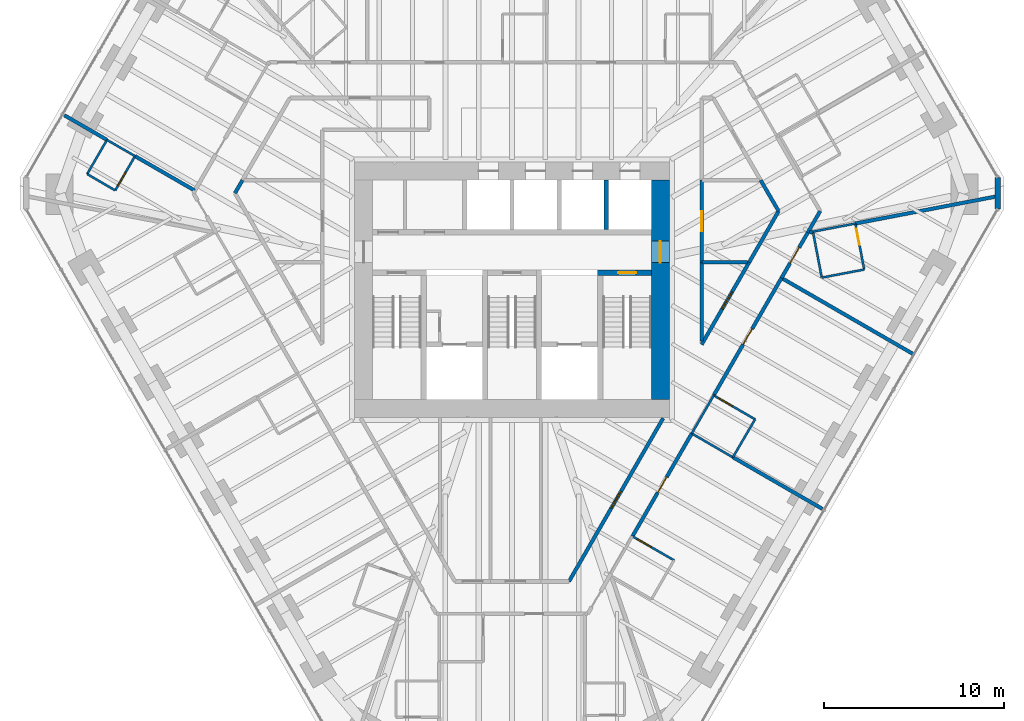
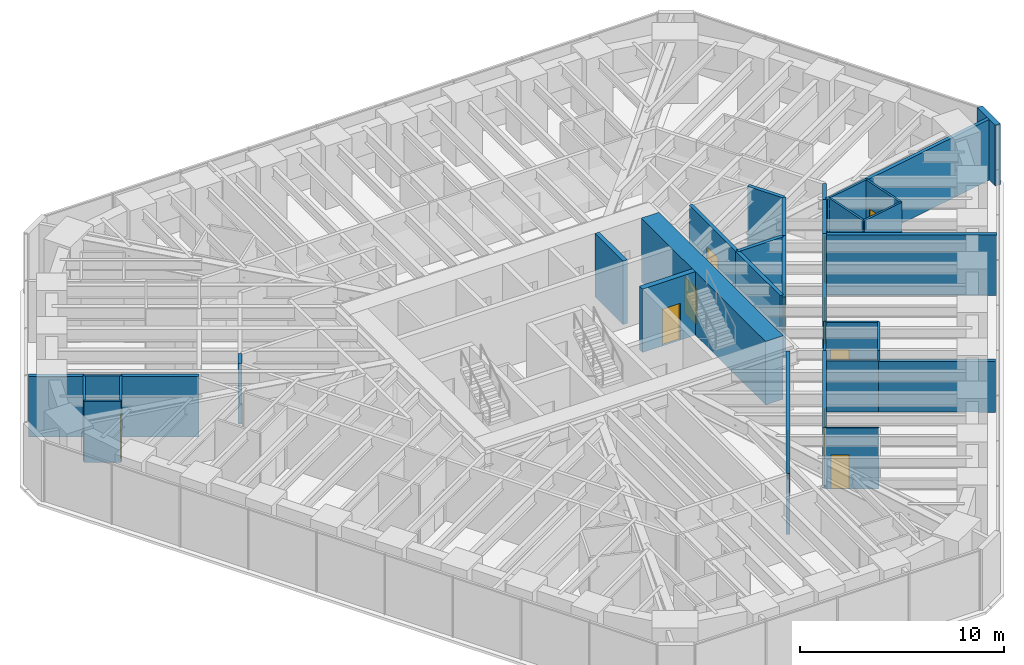
# One storey, part 13 of 16: 35 walls, 12 doors, 12 openings.
"""IFC4 building model written with IfcOpenShell, lengths in metres."""

from ifc_helpers import new_model, si_unit, direction, frame, frame_2d, origin, place, context, subcontext, project, spatial, rectangle, extrude, material, layer, layer_set, type_object, element, fill, save


model = new_model("IFC4")

# Units and contexts
model_context = context("Model", 3, precision=1e-05, world=origin(), true_north=direction((0.0, 1.0)))
body_context = subcontext(model_context, "Body", "Model", "MODEL_VIEW")
ifc_project = project(units=[si_unit("LENGTHUNIT", "METRE"), si_unit("AREAUNIT", "SQUARE_METRE"), si_unit("VOLUMEUNIT", "CUBIC_METRE"), si_unit("PLANEANGLEUNIT", "RADIAN"), si_unit("MASSUNIT", "GRAM", prefix="KILO")], contexts=[model_context])

# Site, building, storey
site_placement = place(None, origin())
site = spatial("IfcSite", under=ifc_project, at=site_placement, CompositionType="ELEMENT")
building_placement = place(site_placement, origin())
building = spatial("IfcBuilding", under=site, at=building_placement, Name="Sandreach Pilgrim Tower", CompositionType="ELEMENT")
storey_placement = place(building_placement, frame((0.0, 0.0, 206.0)))
storey = spatial("IfcBuildingStorey", under=building, at=storey_placement, Name="L51", CompositionType="ELEMENT", Elevation=206.0)

# Walls
ifc_material_1 = material(Name="Moisture-resistant gypsum board on steel studs", Category="steel")
ifc_layer_1 = layer(ifc_material_1, 0.1201171875)
ifc_layer_set_1 = layer_set([ifc_layer_1], Name="Bathroom partition 120")
wall_type_1 = type_object("IfcWallType", Name="Bathroom partition 120", PredefinedType="PARTITIONING", material=ifc_layer_set_1)
wall_1_placement = place(storey_placement, frame((-23.6298828125, 6.429931640625, 0.0), z_axis=(0.0, 0.0, 1.0), x_axis=(0.863773997337, -0.503879431535, 0.0)))
element("IfcWall", 1, at=wall_1_placement, inside=storey, type_object=wall_type_1, Name="Bathroom partition L51-003", PredefinedType="PARTITIONING", context=body_context, shape_type="SweptSolid", body=[
    extrude(rectangle(XDim=1.805908203125, YDim=0.1201171875, at=frame_2d((0.90283203125, 0.0))), origin(), (0.0, 0.0, 1.0), 3.639892578125),
])
wall_2_placement = place(storey_placement, frame((-22.530029296875, 8.330078125, 0.0), z_axis=(0.0, 0.0, 1.0), x_axis=(-0.500957366999, -0.865471961677, 0.0)))
element("IfcWall", 2, at=wall_2_placement, inside=storey, type_object=wall_type_1, Name="Bathroom partition L51-004", PredefinedType="PARTITIONING", context=body_context, shape_type="SweptSolid", body=[
    extrude(rectangle(XDim=2.195556640625, YDim=0.1201171875, at=frame_2d((1.09765625, 0.0))), origin(), (0.0, 0.0, 1.0), 3.639892578125),
])
wall_3_placement = place(storey_placement, frame((-22.530029296875, 8.330078125, 0.0), z_axis=(0.0, 0.0, 1.0), x_axis=(0.866158505053, -0.499769390944, 0.0)))
element("IfcWall", 3, at=wall_3_placement, inside=storey, type_object=wall_type_1, Name="Bathroom partition L51-005", PredefinedType="PARTITIONING", context=body_context, shape_type="SweptSolid", body=[
    extrude(rectangle(XDim=1.801025390625, YDim=0.1201171875, at=frame_2d((0.900390625, 0.0))), origin(), (0.0, 0.0, 1.0), 3.639892578125),
])

# Wall, opening, door
wall_4_placement = place(storey_placement, frame((-22.070068359375, 5.52001953125, 0.0), z_axis=(0.0, 0.0, 1.0), x_axis=(0.499118212815, 0.866533905648, 0.0)))
wall_4 = element("IfcWall", 4, at=wall_4_placement, inside=storey, type_object=wall_type_1, Name="Bathroom partition L51-006", PredefinedType="PARTITIONING", context=body_context, shape_type="SweptSolid", body=[
    extrude(rectangle(XDim=2.2041015625, YDim=0.1201171875, at=frame_2d((1.10205078125, 0.0))), origin(), (0.0, 0.0, 1.0), 3.639892578125),
])
opening_1_placement = place(wall_4_placement, frame((0.300048828125, 0.0, 0.0)))
opening_1 = element("IfcOpeningElement", 5, at=opening_1_placement, cuts=wall_4, Name="Opening D09-15B", PredefinedType="OPENING", context=body_context, shape_type="SweptSolid", body=[
    extrude(rectangle(XDim=0.89990234375, YDim=2.030029296875, at=frame_2d((0.449951171875, 1.01513671875))), frame((0.0, 0.06005859375, 0.0), z_axis=(0.0, -1.0, 0.0), x_axis=(1.0, 0.0, 0.0)), (0.0, 0.0, 1.0), 0.1201171875),
])
ifc_material_2 = material(Name="Timber door, steel frame", Category="steel")
door_type_1 = type_object("IfcDoorType", Name="Bathroom door", OperationType="SINGLE_SWING_LEFT", PredefinedType="DOOR", material=ifc_material_2)
door_1_placement = place(opening_1_placement, origin())
door_1 = element("IfcDoor", 6, at=door_1_placement, inside=storey, type_object=door_type_1, Name="Door 5115B", OperationType="SINGLE_SWING_LEFT", OverallHeight=2.030029296875, OverallWidth=0.89990234375, PredefinedType="DOOR", context=body_context, shape_type="SweptSolid", body=[
    extrude(rectangle(XDim=0.89990234375, YDim=2.030029296875, at=frame_2d((0.449951171875, 1.01513671875))), frame((0.0, 0.02490234375, 0.0), z_axis=(0.0, -1.0, 0.0), x_axis=(1.0, 0.0, 0.0)), (0.0, 0.0, 1.0), 0.050048828125),
])
fill(opening_1, door_1)

wall_5_placement = place(storey_placement, frame((9.010009765625, -15.050048828125, 0.0), z_axis=(0.0, 0.0, 1.0), x_axis=(-0.866615255992, 0.498976951453, 0.0)))
wall_5 = element("IfcWall", 7, at=wall_5_placement, inside=storey, type_object=wall_type_1, Name="Bathroom partition L51-105", PredefinedType="PARTITIONING", context=body_context, shape_type="SweptSolid", body=[
    extrude(rectangle(XDim=2.66552734375, YDim=0.1201171875, at=frame_2d((1.332763671875, 0.0))), origin(), (0.0, 0.0, 1.0), 3.639892578125),
])
opening_2_placement = place(wall_5_placement, frame((1.465576171875, 0.0, 0.0)))
opening_2 = element("IfcOpeningElement", 8, at=opening_2_placement, cuts=wall_5, Name="Opening D09-08B", PredefinedType="OPENING", context=body_context, shape_type="SweptSolid", body=[
    extrude(rectangle(XDim=0.89990234375, YDim=2.030029296875, at=frame_2d((0.449951171875, 1.01513671875))), frame((0.0, 0.06005859375, 0.0), z_axis=(0.0, -1.0, 0.0), x_axis=(1.0, 0.0, 0.0)), (0.0, 0.0, 1.0), 0.1201171875),
])
door_2_placement = place(opening_2_placement, origin())
door_2 = element("IfcDoor", 9, at=door_2_placement, inside=storey, type_object=door_type_1, Name="Door 5108B", OperationType="SINGLE_SWING_RIGHT", OverallHeight=2.030029296875, OverallWidth=0.89990234375, PredefinedType="DOOR", context=body_context, shape_type="SweptSolid", body=[
    extrude(rectangle(XDim=0.89990234375, YDim=2.030029296875, at=frame_2d((0.449951171875, 1.01513671875))), frame((0.0, 0.02490234375, 0.0), z_axis=(0.0, -1.0, 0.0), x_axis=(1.0, 0.0, 0.0)), (0.0, 0.0, 1.0), 0.050048828125),
])
fill(opening_2, door_2)

# Walls
wall_6_placement = place(storey_placement, frame((9.9990234375, -7.99951171875, 0.0), z_axis=(0.0, 0.0, 1.0), x_axis=(0.49917796633, 0.866499485245, 0.0)))
element("IfcWall", 10, at=wall_6_placement, inside=storey, type_object=wall_type_1, Name="Bathroom partition L51-106", PredefinedType="PARTITIONING", context=body_context, shape_type="SweptSolid", body=[
    extrude(rectangle(XDim=2.44580078125, YDim=0.1201171875, at=frame_2d((1.222900390625, 0.0))), origin(), (0.0, 0.0, 1.0), 3.639892578125),
])
wall_7_placement = place(storey_placement, frame((12.2900390625, -9.330078125, 0.0), z_axis=(0.0, 0.0, 1.0), x_axis=(-0.864726954997, 0.502242265546, 0.0)))
element("IfcWall", 11, at=wall_7_placement, inside=storey, type_object=wall_type_1, Name="Bathroom partition L51-118", PredefinedType="PARTITIONING", context=body_context, shape_type="SweptSolid", body=[
    extrude(rectangle(XDim=2.648193359375, YDim=0.1201171875, at=frame_2d((1.32421875, 0.0))), origin(), (0.0, 0.0, 1.0), 3.0380859375),
])
wall_8_placement = place(storey_placement, frame((12.2900390625, -9.320068359375, 0.0), z_axis=(0.0, 0.0, 1.0), x_axis=(0.503591322258, 0.863942000453, 0.0)))
element("IfcWall", 12, at=wall_8_placement, inside=storey, type_object=wall_type_1, Name="Bathroom partition L51-119", PredefinedType="PARTITIONING", context=body_context, shape_type="SweptSolid", body=[
    extrude(rectangle(XDim=2.4423828125, YDim=0.1201171875, at=frame_2d((1.22119140625, 0.0))), origin(), (0.0, 0.0, 1.0), 3.639892578125),
])

# Wall, opening, door
wall_9_placement = place(storey_placement, frame((13.52001953125, -7.2099609375, 0.0), z_axis=(0.0, 0.0, 1.0), x_axis=(-0.865675724273, 0.500605174168, 0.0)))
wall_9 = element("IfcWall", 13, at=wall_9_placement, inside=storey, type_object=wall_type_1, Name="Bathroom partition L51-124", PredefinedType="PARTITIONING", context=body_context, shape_type="SweptSolid", body=[
    extrude(rectangle(XDim=2.656982421875, YDim=0.1201171875, at=frame_2d((1.32861328125, 0.0))), origin(), (0.0, 0.0, 1.0), 3.639892578125),
])
opening_3_placement = place(wall_9_placement, frame((1.456787109375, 0.0, 0.0)))
opening_3 = element("IfcOpeningElement", 14, at=opening_3_placement, cuts=wall_9, Name="Opening D09-07B", PredefinedType="OPENING", context=body_context, shape_type="SweptSolid", body=[
    extrude(rectangle(XDim=0.89990234375, YDim=2.030029296875, at=frame_2d((0.449951171875, 1.01513671875))), frame((0.0, 0.06005859375, 0.0), z_axis=(0.0, -1.0, 0.0), x_axis=(1.0, 0.0, 0.0)), (0.0, 0.0, 1.0), 0.1201171875),
])
door_3_placement = place(opening_3_placement, origin())
door_3 = element("IfcDoor", 15, at=door_3_placement, inside=storey, type_object=door_type_1, Name="Door 5107B", OperationType="SINGLE_SWING_RIGHT", OverallHeight=2.030029296875, OverallWidth=0.89990234375, PredefinedType="DOOR", context=body_context, shape_type="SweptSolid", body=[
    extrude(rectangle(XDim=0.89990234375, YDim=2.030029296875, at=frame_2d((0.449951171875, 1.01513671875))), frame((0.0, 0.02490234375, 0.0), z_axis=(0.0, -1.0, 0.0), x_axis=(1.0, 0.0, 0.0)), (0.0, 0.0, 1.0), 0.050048828125),
])
fill(opening_3, door_3)

# Walls
wall_10_placement = place(storey_placement, frame((16.739013671875, 3.22509765625, 0.0), z_axis=(0.0, 0.0, 1.0), x_axis=(0.981946287277, 0.189159955868, 0.0)))
element("IfcWall", 16, at=wall_10_placement, inside=storey, type_object=wall_type_1, Name="Bathroom partition L51-137", PredefinedType="PARTITIONING", context=body_context, shape_type="SweptSolid", body=[
    extrude(rectangle(XDim=2.404541015625, YDim=0.1201171875, at=frame_2d((1.2021484375, 0.0))), origin(), (0.0, 0.0, 1.0), 3.639892578125),
])
wall_11_placement = place(storey_placement, frame((16.739990234375, 3.219970703125, 0.0), z_axis=(0.0, 0.0, 1.0), x_axis=(0.188697442844, -0.982035271802, 0.0)))
element("IfcWall", 17, at=wall_11_placement, inside=storey, type_object=wall_type_1, Name="Bathroom partition L51-138", PredefinedType="PARTITIONING", context=body_context, shape_type="SweptSolid", body=[
    extrude(rectangle(XDim=2.5966796875, YDim=0.1201171875, at=frame_2d((1.29833984375, 0.0))), origin(), (0.0, 0.0, 1.0), 3.639892578125),
])
wall_12_placement = place(storey_placement, frame((17.22998046875, 0.669921875, 0.0), z_axis=(0.0, 0.0, 1.0), x_axis=(0.982288725898, 0.187373581313, 0.0)))
element("IfcWall", 18, at=wall_12_placement, inside=storey, type_object=wall_type_1, Name="Bathroom partition L51-143", PredefinedType="PARTITIONING", context=body_context, shape_type="SweptSolid", body=[
    extrude(rectangle(XDim=2.402587890625, YDim=0.1201171875, at=frame_2d((1.201171875, 0.0))), origin(), (0.0, 0.0, 1.0), 3.639892578125),
])

# Wall, opening, door
wall_13_placement = place(storey_placement, frame((19.590087890625, 1.1201171875, 0.0), z_axis=(0.0, 0.0, 1.0), x_axis=(-0.188003058159, 0.982168442846, 0.0)))
wall_13 = element("IfcWall", 19, at=wall_13_placement, inside=storey, type_object=wall_type_1, Name="Bathroom partition L51-146", PredefinedType="PARTITIONING", context=body_context, shape_type="SweptSolid", body=[
    extrude(rectangle(XDim=2.606201171875, YDim=0.1201171875, at=frame_2d((1.30322265625, 0.0))), origin(), (0.0, 0.0, 1.0), 3.639892578125),
])
opening_4_placement = place(wall_13_placement, frame((1.406494140625, 0.0, 0.0)))
opening_4 = element("IfcOpeningElement", 20, at=opening_4_placement, cuts=wall_13, Name="Opening D09-06B", PredefinedType="OPENING", context=body_context, shape_type="SweptSolid", body=[
    extrude(rectangle(XDim=0.89990234375, YDim=2.030029296875, at=frame_2d((0.449951171875, 1.01513671875))), frame((0.0, 0.06005859375, 0.0), z_axis=(0.0, -1.0, 0.0), x_axis=(1.0, 0.0, 0.0)), (0.0, 0.0, 1.0), 0.1201171875),
])
door_4_placement = place(opening_4_placement, origin())
door_4 = element("IfcDoor", 21, at=door_4_placement, inside=storey, type_object=door_type_1, Name="Door 5106B", OperationType="SINGLE_SWING_RIGHT", OverallHeight=2.030029296875, OverallWidth=0.89990234375, PredefinedType="DOOR", context=body_context, shape_type="SweptSolid", body=[
    extrude(rectangle(XDim=0.89990234375, YDim=2.030029296875, at=frame_2d((0.449951171875, 1.01513671875))), frame((0.0, 0.02490234375, 0.0), z_axis=(0.0, -1.0, 0.0), x_axis=(1.0, 0.0, 0.0)), (0.0, 0.0, 1.0), 0.050048828125),
])
fill(opening_4, door_4)

ifc_material_3 = material(Name="Concrete 10000 psi", Category="concrete")
ifc_layer_2 = layer(ifc_material_3, 0.300048828125)
ifc_layer_set_2 = layer_set([ifc_layer_2], Name="Core inner wall 300")
wall_type_2 = type_object("IfcWallType", Name="Core inner wall 300", PredefinedType="SHEAR", material=ifc_layer_set_2)
wall_14_placement = place(storey_placement, frame((4.75, 0.949951171875, 0.0), z_axis=(0.0, 0.0, 1.0), x_axis=(1.0, 0.0, 0.0)))
wall_14 = element("IfcWall", 22, at=wall_14_placement, inside=storey, type_object=wall_type_2, Name="Core wall SN2 L51", PredefinedType="SHEAR", context=body_context, shape_type="SweptSolid", body=[
    extrude(rectangle(XDim=3.0, YDim=0.300048828125, at=frame_2d((1.5, 0.0))), origin(), (0.0, 0.0, 1.0), 3.800048828125),
])
opening_5_placement = place(wall_14_placement, frame((1.14990234375, 0.0, 0.0)))
opening_5 = element("IfcOpeningElement", 23, at=opening_5_placement, cuts=wall_14, Name="Opening D10S-ST2", PredefinedType="OPENING", context=body_context, shape_type="SweptSolid", body=[
    extrude(rectangle(XDim=1.0, YDim=2.199951171875, at=frame_2d((0.5, 1.10009765625))), frame((0.0, 0.14990234375, 0.0), z_axis=(0.0, -1.0, 0.0), x_axis=(1.0, 0.0, 0.0)), (0.0, 0.0, 1.0), 0.300048828125),
])
ifc_material_4 = material(Name="Steel door and frame", Category="steel")
door_type_2 = type_object("IfcDoorType", Name="Stair door", OperationType="SINGLE_SWING_LEFT", PredefinedType="DOOR", material=ifc_material_4)
door_5_placement = place(opening_5_placement, origin())
door_5 = element("IfcDoor", 24, at=door_5_placement, inside=storey, type_object=door_type_2, Name="Stair door ST2 L51", OperationType="SINGLE_SWING_RIGHT", OverallHeight=2.199951171875, OverallWidth=1.0, PredefinedType="DOOR", context=body_context, shape_type="SweptSolid", body=[
    extrude(rectangle(XDim=1.0, YDim=2.199951171875, at=frame_2d((0.5, 1.10009765625))), frame((0.0, 0.02490234375, 0.0), z_axis=(0.0, -1.0, 0.0), x_axis=(1.0, 0.0, 0.0)), (0.0, 0.0, 1.0), 0.050048828125),
])
fill(opening_5, door_5)

ifc_material_5 = material(Name="Concrete 10000 psi", Category="concrete")
ifc_layer_3 = layer(ifc_material_5, 1.0)
ifc_layer_set_3 = layer_set([ifc_layer_3], Name="Core wall 1000")
wall_type_3 = type_object("IfcWallType", Name="Core wall 1000", PredefinedType="SHEAR", material=ifc_layer_set_3)
wall_15_placement = place(storey_placement, frame((8.25, -6.10009765625, 0.0), z_axis=(0.0, 0.0, 1.0), x_axis=(0.0, 1.0, 0.0)))
wall_15 = element("IfcWall", 25, at=wall_15_placement, inside=storey, type_object=wall_type_3, Name="Core wall E L51", PredefinedType="SHEAR", context=body_context, shape_type="SweptSolid", body=[
    extrude(rectangle(XDim=12.2001953125, YDim=1.0, at=frame_2d((6.10009765625, 0.0))), origin(), (0.0, 0.0, 1.0), 3.800048828125),
])
opening_6_placement = place(wall_15_placement, frame((7.60009765625, 0.0, 0.0)))
opening_6 = element("IfcOpeningElement", 26, at=opening_6_placement, cuts=wall_15, Name="Opening D12F-E", PredefinedType="OPENING", context=body_context, shape_type="SweptSolid", body=[
    extrude(rectangle(XDim=1.199951171875, YDim=2.199951171875, at=frame_2d((0.60009765625, 1.10009765625))), frame((0.0, 0.5, 0.0), z_axis=(0.0, -1.0, 0.0), x_axis=(1.0, 0.0, 0.0)), (0.0, 0.0, 1.0), 1.0),
])
ifc_material_6 = material(Name="Steel door and frame", Category="steel")
door_type_3 = type_object("IfcDoorType", Name="Fire lobby door", OperationType="SINGLE_SWING_LEFT", PredefinedType="DOOR", material=ifc_material_6)
door_6_placement = place(opening_6_placement, origin())
door_6 = element("IfcDoor", 27, at=door_6_placement, inside=storey, type_object=door_type_3, Name="Fire service lobby door E L51", OperationType="SINGLE_SWING_RIGHT", OverallHeight=2.199951171875, OverallWidth=1.199951171875, PredefinedType="DOOR", context=body_context, shape_type="SweptSolid", body=[
    extrude(rectangle(XDim=1.199951171875, YDim=2.199951171875, at=frame_2d((0.60009765625, 1.10009765625))), frame((0.0, 0.02490234375, 0.0), z_axis=(0.0, -1.0, 0.0), x_axis=(1.0, 0.0, 0.0)), (0.0, 0.0, 1.0), 0.050048828125),
])
fill(opening_6, door_6)

# Wall
ifc_material_7 = material(Name="Gypsum board on steel studs, two layers each side", Category="steel")
ifc_layer_4 = layer(ifc_material_7, 0.199951171875)
ifc_layer_set_4 = layer_set([ifc_layer_4], Name="Corridor wall 200")
wall_type_4 = type_object("IfcWallType", Name="Corridor wall 200", PredefinedType="PARTITIONING", material=ifc_layer_set_4)
wall_16_placement = place(storey_placement, frame((-15.409912109375, 5.3701171875, 0.0), z_axis=(0.0, 0.0, 1.0), x_axis=(0.503943891868, 0.863736391412, 0.0)))
element("IfcWall", 28, at=wall_16_placement, inside=storey, type_object=wall_type_4, Name="Corridor wall L51-026", PredefinedType="PARTITIONING", context=body_context, shape_type="SweptSolid", body=[
    extrude(rectangle(XDim=0.833251953125, YDim=0.199951171875, at=frame_2d((0.41650390625, 0.0))), origin(), (0.0, 0.0, 1.0), 3.639892578125),
])

# Wall, opening, door
wall_17_placement = place(storey_placement, frame((6.699951171875, -13.719970703125, 0.0), z_axis=(0.0, 0.0, 1.0), x_axis=(0.499729921425, 0.866181277581, 0.0)))
wall_17 = element("IfcWall", 29, at=wall_17_placement, inside=storey, type_object=wall_type_4, Name="Corridor wall L51-100", PredefinedType="PARTITIONING", context=body_context, shape_type="SweptSolid", body=[
    extrude(rectangle(XDim=6.603759765625, YDim=0.199951171875, at=frame_2d((3.3017578125, 0.0))), origin(), (0.0, 0.0, 1.0), 3.639892578125),
])
opening_7_placement = place(wall_17_placement, frame((2.8017578125, 0.0, 0.0)))
opening_7 = element("IfcOpeningElement", 30, at=opening_7_placement, cuts=wall_17, Name="Opening D10-08", PredefinedType="OPENING", context=body_context, shape_type="SweptSolid", body=[
    extrude(rectangle(XDim=1.0, YDim=2.1298828125, at=frame_2d((0.5, 1.06494140625))), frame((0.0, 0.10009765625, 0.0), z_axis=(0.0, -1.0, 0.0), x_axis=(1.0, 0.0, 0.0)), (0.0, 0.0, 1.0), 0.199951171875),
])
ifc_material_8 = material(Name="Steel door and frame", Category="steel")
door_type_4 = type_object("IfcDoorType", Name="Guest room entry door", OperationType="SINGLE_SWING_LEFT", PredefinedType="DOOR", material=ifc_material_8)
door_7_placement = place(opening_7_placement, origin())
door_7 = element("IfcDoor", 31, at=door_7_placement, inside=storey, type_object=door_type_4, Name="Door 5108", OperationType="SINGLE_SWING_LEFT", OverallHeight=2.1298828125, OverallWidth=1.0, PredefinedType="DOOR", context=body_context, shape_type="SweptSolid", body=[
    extrude(rectangle(XDim=1.0, YDim=2.1298828125, at=frame_2d((0.5, 1.06494140625))), frame((0.0, 0.02490234375, 0.0), z_axis=(0.0, -1.0, 0.0), x_axis=(1.0, 0.0, 0.0)), (0.0, 0.0, 1.0), 0.050048828125),
])
fill(opening_7, door_7)

wall_18_placement = place(storey_placement, frame((8.409912109375, -7.14990234375, 0.0), z_axis=(0.0, 0.0, 1.0), x_axis=(-0.499828628176, -0.866124322748, 0.0)))
wall_18 = element("IfcWall", 32, at=wall_18_placement, inside=storey, type_object=wall_type_4, Name="Corridor wall L51-102", PredefinedType="PARTITIONING", context=body_context, shape_type="SweptSolid", body=[
    extrude(rectangle(XDim=10.483642578125, YDim=0.199951171875, at=frame_2d((5.24169921875, 0.0))), origin(), (0.0, 0.0, 1.0), 3.639892578125),
])
opening_8_placement = place(wall_18_placement, frame((4.691650390625, 0.0, 0.0)))
opening_8 = element("IfcOpeningElement", 33, at=opening_8_placement, cuts=wall_18, Name="Opening D11H-S4", PredefinedType="OPENING", context=body_context, shape_type="SweptSolid", body=[
    extrude(rectangle(XDim=1.10009765625, YDim=2.199951171875, at=frame_2d((0.550048828125, 1.10009765625))), frame((0.0, 0.10009765625, 0.0), z_axis=(0.0, -1.0, 0.0), x_axis=(1.0, 0.0, 0.0)), (0.0, 0.0, 1.0), 0.199951171875),
])
ifc_material_9 = material(Name="Steel door and frame", Category="steel")
door_type_5 = type_object("IfcDoorType", Name="Back of house door", OperationType="SINGLE_SWING_LEFT", PredefinedType="DOOR", material=ifc_material_9)
door_8_placement = place(opening_8_placement, origin())
door_8 = element("IfcDoor", 34, at=door_8_placement, inside=storey, type_object=door_type_5, Name="Door 51S4", OperationType="SINGLE_SWING_LEFT", OverallHeight=2.199951171875, OverallWidth=1.10009765625, PredefinedType="DOOR", context=body_context, shape_type="SweptSolid", body=[
    extrude(rectangle(XDim=1.10009765625, YDim=2.199951171875, at=frame_2d((0.550048828125, 1.10009765625))), frame((0.0, 0.02490234375, 0.0), z_axis=(0.0, -1.0, 0.0), x_axis=(1.0, 0.0, 0.0)), (0.0, 0.0, 1.0), 0.050048828125),
])
fill(opening_8, door_8)

# Wall
wall_19_placement = place(storey_placement, frame((10.550048828125, -2.85498046875, 0.0), z_axis=(0.0, 0.0, 1.0), x_axis=(0.0, 1.0, 0.0)))
element("IfcWall", 35, at=wall_19_placement, inside=storey, type_object=wall_type_4, Name="Corridor wall L51-107", PredefinedType="PARTITIONING", context=body_context, shape_type="SweptSolid", body=[
    extrude(rectangle(XDim=4.375, YDim=0.199951171875, at=frame_2d((2.1875, 0.0))), origin(), (0.0, 0.0, 1.0), 3.639892578125),
])

# Wall, opening, door
wall_20_placement = place(storey_placement, frame((10.550048828125, 1.52001953125, 0.0), z_axis=(0.0, 0.0, 1.0), x_axis=(0.0, 1.0, 0.0)))
wall_20 = element("IfcWall", 36, at=wall_20_placement, inside=storey, type_object=wall_type_4, Name="Corridor wall L51-108", PredefinedType="PARTITIONING", context=body_context, shape_type="SweptSolid", body=[
    extrude(rectangle(XDim=4.570068359375, YDim=0.199951171875, at=frame_2d((2.28515625, 0.0))), origin(), (0.0, 0.0, 1.0), 3.639892578125),
])
opening_9_placement = place(wall_20_placement, frame((1.735107421875, 0.0, 0.0)))
opening_9 = element("IfcOpeningElement", 37, at=opening_9_placement, cuts=wall_20, Name="Opening D11H-M06", PredefinedType="OPENING", context=body_context, shape_type="SweptSolid", body=[
    extrude(rectangle(XDim=1.10009765625, YDim=2.199951171875, at=frame_2d((0.550048828125, 1.10009765625))), frame((0.0, 0.10009765625, 0.0), z_axis=(0.0, -1.0, 0.0), x_axis=(1.0, 0.0, 0.0)), (0.0, 0.0, 1.0), 0.199951171875),
])
door_9_placement = place(opening_9_placement, origin())
door_9 = element("IfcDoor", 38, at=door_9_placement, inside=storey, type_object=door_type_5, Name="Door 51M06", OperationType="SINGLE_SWING_LEFT", OverallHeight=2.199951171875, OverallWidth=1.10009765625, PredefinedType="DOOR", context=body_context, shape_type="SweptSolid", body=[
    extrude(rectangle(XDim=1.10009765625, YDim=2.199951171875, at=frame_2d((0.550048828125, 1.10009765625))), frame((0.0, 0.02490234375, 0.0), z_axis=(0.0, -1.0, 0.0), x_axis=(1.0, 0.0, 0.0)), (0.0, 0.0, 1.0), 0.050048828125),
])
fill(opening_9, door_9)

wall_21_placement = place(storey_placement, frame((11.219970703125, -5.8798828125, 0.0), z_axis=(0.0, 0.0, 1.0), x_axis=(0.500004606796, 0.866022744033, 0.0)))
wall_21 = element("IfcWall", 39, at=wall_21_placement, inside=storey, type_object=wall_type_4, Name="Corridor wall L51-117", PredefinedType="PARTITIONING", context=body_context, shape_type="SweptSolid", body=[
    extrude(rectangle(XDim=7.5400390625, YDim=0.199951171875, at=frame_2d((3.77001953125, 0.0))), origin(), (0.0, 0.0, 1.0), 3.639892578125),
])
opening_10_placement = place(wall_21_placement, frame((3.27001953125, 0.0, 0.0)))
opening_10 = element("IfcOpeningElement", 40, at=opening_10_placement, cuts=wall_21, Name="Opening D10-07", PredefinedType="OPENING", context=body_context, shape_type="SweptSolid", body=[
    extrude(rectangle(XDim=1.0, YDim=2.1298828125, at=frame_2d((0.5, 1.06494140625))), frame((0.0, 0.10009765625, 0.0), z_axis=(0.0, -1.0, 0.0), x_axis=(1.0, 0.0, 0.0)), (0.0, 0.0, 1.0), 0.199951171875),
])
door_10_placement = place(opening_10_placement, origin())
door_10 = element("IfcDoor", 41, at=door_10_placement, inside=storey, type_object=door_type_4, Name="Door 5107", OperationType="SINGLE_SWING_LEFT", OverallHeight=2.1298828125, OverallWidth=1.0, PredefinedType="DOOR", context=body_context, shape_type="SweptSolid", body=[
    extrude(rectangle(XDim=1.0, YDim=2.1298828125, at=frame_2d((0.5, 1.06494140625))), frame((0.0, 0.02490234375, 0.0), z_axis=(0.0, -1.0, 0.0), x_axis=(1.0, 0.0, 0.0)), (0.0, 0.0, 1.0), 0.050048828125),
])
fill(opening_10, door_10)

wall_22_placement = place(storey_placement, frame((13.18994140625, 1.52001953125, 0.0), z_axis=(0.0, 0.0, 1.0), x_axis=(-0.500193590286, -0.865913605527, 0.0)))
wall_22 = element("IfcWall", 42, at=wall_22_placement, inside=storey, type_object=wall_type_4, Name="Corridor wall L51-123", PredefinedType="PARTITIONING", context=body_context, shape_type="SweptSolid", body=[
    extrude(rectangle(XDim=5.27783203125, YDim=0.199951171875, at=frame_2d((2.638916015625, 0.0))), origin(), (0.0, 0.0, 1.0), 3.639892578125),
])
opening_11_placement = place(wall_22_placement, frame((1.89990234375, 0.0, 0.0)))
opening_11 = element("IfcOpeningElement", 43, at=opening_11_placement, cuts=wall_22, Name="Opening D11H-M04", PredefinedType="OPENING", context=body_context, shape_type="SweptSolid", body=[
    extrude(rectangle(XDim=1.10009765625, YDim=2.199951171875, at=frame_2d((0.550048828125, 1.10009765625))), frame((0.0, 0.10009765625, 0.0), z_axis=(0.0, -1.0, 0.0), x_axis=(1.0, 0.0, 0.0)), (0.0, 0.0, 1.0), 0.199951171875),
])
door_11_placement = place(opening_11_placement, origin())
door_11 = element("IfcDoor", 44, at=door_11_placement, inside=storey, type_object=door_type_5, Name="Door 51M04", OperationType="SINGLE_SWING_LEFT", OverallHeight=2.199951171875, OverallWidth=1.10009765625, PredefinedType="DOOR", context=body_context, shape_type="SweptSolid", body=[
    extrude(rectangle(XDim=1.10009765625, YDim=2.199951171875, at=frame_2d((0.550048828125, 1.10009765625))), frame((0.0, 0.02490234375, 0.0), z_axis=(0.0, -1.0, 0.0), x_axis=(1.0, 0.0, 0.0)), (0.0, 0.0, 1.0), 0.050048828125),
])
fill(opening_11, door_11)

# Walls
wall_23_placement = place(storey_placement, frame((13.830078125, 6.090087890625, 0.0), z_axis=(0.0, 0.0, 1.0), x_axis=(0.502573539539, -0.864534462792, 0.0)))
element("IfcWall", 45, at=wall_23_placement, inside=storey, type_object=wall_type_4, Name="Corridor wall L51-127", PredefinedType="PARTITIONING", context=body_context, shape_type="SweptSolid", body=[
    extrude(rectangle(XDim=1.98974609375, YDim=0.199951171875, at=frame_2d((0.994873046875, 0.0))), origin(), (0.0, 0.0, 1.0), 3.639892578125),
])
wall_24_placement = place(storey_placement, frame((14.830078125, 4.3701171875, 0.0), z_axis=(0.0, 0.0, 1.0), x_axis=(-0.498775186059, -0.866731396554, 0.0)))
element("IfcWall", 46, at=wall_24_placement, inside=storey, type_object=wall_type_4, Name="Corridor wall L51-129", PredefinedType="PARTITIONING", context=body_context, shape_type="SweptSolid", body=[
    extrude(rectangle(XDim=3.288330078125, YDim=0.199951171875, at=frame_2d((1.64404296875, 0.0))), origin(), (0.0, 0.0, 1.0), 3.639892578125),
])

# Wall, opening, door
wall_25_placement = place(storey_placement, frame((14.989990234375, 0.650146484375, 0.0), z_axis=(0.0, 0.0, 1.0), x_axis=(0.501330358107, 0.865255957529, 0.0)))
wall_25 = element("IfcWall", 47, at=wall_25_placement, inside=storey, type_object=wall_type_4, Name="Corridor wall L51-132", PredefinedType="PARTITIONING", context=body_context, shape_type="SweptSolid", body=[
    extrude(rectangle(XDim=2.912109375, YDim=0.199951171875, at=frame_2d((1.4560546875, 0.0))), origin(), (0.0, 0.0, 1.0), 3.639892578125),
])
opening_12_placement = place(wall_25_placement, frame((0.956298828125, 0.0, 0.0)))
opening_12 = element("IfcOpeningElement", 48, at=opening_12_placement, cuts=wall_25, Name="Opening D10-06", PredefinedType="OPENING", context=body_context, shape_type="SweptSolid", body=[
    extrude(rectangle(XDim=1.0, YDim=2.1298828125, at=frame_2d((0.5, 1.06494140625))), frame((0.0, 0.10009765625, 0.0), z_axis=(0.0, -1.0, 0.0), x_axis=(1.0, 0.0, 0.0)), (0.0, 0.0, 1.0), 0.199951171875),
])
door_12_placement = place(opening_12_placement, origin())
door_12 = element("IfcDoor", 49, at=door_12_placement, inside=storey, type_object=door_type_4, Name="Door 5106", OperationType="SINGLE_SWING_LEFT", OverallHeight=2.1298828125, OverallWidth=1.0, PredefinedType="DOOR", context=body_context, shape_type="SweptSolid", body=[
    extrude(rectangle(XDim=1.0, YDim=2.1298828125, at=frame_2d((0.5, 1.06494140625))), frame((0.0, 0.02490234375, 0.0), z_axis=(0.0, -1.0, 0.0), x_axis=(1.0, 0.0, 0.0)), (0.0, 0.0, 1.0), 0.050048828125),
])
fill(opening_12, door_12)

# Walls
wall_26_placement = place(storey_placement, frame((16.449951171875, 3.169921875, 0.0), z_axis=(0.0, 0.0, 1.0), x_axis=(0.49845455473, 0.866915830325, 0.0)))
element("IfcWall", 50, at=wall_26_placement, inside=storey, type_object=wall_type_4, Name="Corridor wall L51-135", PredefinedType="PARTITIONING", context=body_context, shape_type="SweptSolid", body=[
    extrude(rectangle(XDim=1.38427734375, YDim=0.199951171875, at=frame_2d((0.692138671875, 0.0))), origin(), (0.0, 0.0, 1.0), 3.639892578125),
])
ifc_material_10 = material(Name="Double steel stud acoustic wall, gypsum board", Category="steel")
ifc_layer_5 = layer(ifc_material_10, 0.199951171875)
ifc_layer_set_5 = layer_set([ifc_layer_5], Name="Party wall 200")
wall_type_5 = type_object("IfcWallType", Name="Party wall 200", PredefinedType="PARTITIONING", material=ifc_layer_set_5)
wall_27_placement = place(storey_placement, frame((-24.896240234375, 9.699951171875, 0.0), z_axis=(0.0, 0.0, 1.0), x_axis=(0.865432398871, -0.501025710902, 0.0)))
element("IfcWall", 51, at=wall_27_placement, inside=storey, type_object=wall_type_5, Name="Party wall L51-002", PredefinedType="PARTITIONING", context=body_context, shape_type="SweptSolid", body=[
    extrude(rectangle(XDim=2.734130859375, YDim=0.199951171875, at=frame_2d((1.3671875, 0.0))), origin(), (0.0, 0.0, 1.0), 3.639892578125),
])
wall_28_placement = place(storey_placement, frame((-20.969970703125, 7.429931640625, 0.0), z_axis=(0.0, 0.0, 1.0), x_axis=(0.866325681624, -0.499479542482, 0.0)))
element("IfcWall", 52, at=wall_28_placement, inside=storey, type_object=wall_type_5, Name="Party wall L51-007", PredefinedType="PARTITIONING", context=body_context, shape_type="SweptSolid", body=[
    extrude(rectangle(XDim=3.82861328125, YDim=0.199951171875, at=frame_2d((1.914306640625, 0.0))), origin(), (0.0, 0.0, 1.0), 3.639892578125),
])
wall_29_placement = place(storey_placement, frame((10.56005859375, 1.52001953125, 0.0), z_axis=(0.0, 0.0, 1.0), x_axis=(1.0, 0.0, 0.0)))
element("IfcWall", 53, at=wall_29_placement, inside=storey, type_object=wall_type_5, Name="Party wall L51-110", PredefinedType="PARTITIONING", context=body_context, shape_type="SweptSolid", body=[
    extrude(rectangle(XDim=2.550048828125, YDim=0.199951171875, at=frame_2d((1.27490234375, 0.0))), origin(), (0.0, 0.0, 1.0), 3.639892578125),
])
wall_30_placement = place(storey_placement, frame((12.2900390625, -9.320068359375, 0.0), z_axis=(0.0, 0.0, 1.0), x_axis=(0.865820408554, -0.500354894182, 0.0)))
element("IfcWall", 54, at=wall_30_placement, inside=storey, type_object=wall_type_5, Name="Party wall L51-120", PredefinedType="PARTITIONING", context=body_context, shape_type="SweptSolid", body=[
    extrude(rectangle(XDim=5.735595703125, YDim=0.199951171875, at=frame_2d((2.86767578125, 0.0))), origin(), (0.0, 0.0, 1.0), 3.0380859375),
])
wall_31_placement = place(storey_placement, frame((16.548583984375, 3.18701171875, 0.0), z_axis=(0.0, 0.0, 1.0), x_axis=(0.985496381106, 0.169696443175, 0.0)))
element("IfcWall", 55, at=wall_31_placement, inside=storey, type_object=wall_type_5, Name="Party wall L51-136", PredefinedType="PARTITIONING", context=body_context, shape_type="SweptSolid", body=[
    extrude(rectangle(XDim=0.1943359375, YDim=0.199951171875, at=frame_2d((0.09716796875, 0.0))), origin(), (0.0, 0.0, 1.0), 3.639892578125),
])
wall_32_placement = place(storey_placement, frame((19.10009765625, 3.679931640625, 0.0), z_axis=(0.0, 0.0, 1.0), x_axis=(0.982065840923, 0.188538282829, 0.0)))
element("IfcWall", 56, at=wall_32_placement, inside=storey, type_object=wall_type_5, Name="Party wall L51-145", PredefinedType="PARTITIONING", context=body_context, shape_type="SweptSolid", body=[
    extrude(rectangle(XDim=8.08544921875, YDim=0.199951171875, at=frame_2d((4.042724609375, 0.0))), origin(), (0.0, 0.0, 1.0), 3.639892578125),
])
wall_33_placement = place(storey_placement, frame((22.323974609375, -3.5849609375, 0.0), z_axis=(0.0, 0.0, 1.0), x_axis=(-0.865987918257, 0.500064921217, 0.0)))
element("IfcWall", 57, at=wall_33_placement, inside=storey, type_object=wall_type_5, Name="Party wall L51-147", PredefinedType="PARTITIONING", context=body_context, shape_type="SweptSolid", body=[
    extrude(rectangle(XDim=8.4541015625, YDim=0.199951171875, at=frame_2d((4.22705078125, 0.0))), origin(), (0.0, 0.0, 1.0), 3.639892578125),
])
ifc_material_11 = material(Name="Gypsum shaft wall on steel studs, two layers of shaft liner board", Category="steel")
ifc_layer_6 = layer(ifc_material_11, 0.25)
ifc_layer_set_6 = layer_set([ifc_layer_6], Name="Shaft partition 250")
wall_type_6 = type_object("IfcWallType", Name="Shaft partition 250", PredefinedType="PARTITIONING", material=ifc_layer_set_6)
wall_34_placement = place(storey_placement, frame((5.25, 3.35009765625, 0.0), z_axis=(0.0, 0.0, 1.0), x_axis=(0.0, 1.0, 0.0)))
element("IfcWall", 58, at=wall_34_placement, inside=storey, type_object=wall_type_6, Name="Shaft partition NS4 L51", PredefinedType="PARTITIONING", context=body_context, shape_type="SweptSolid", body=[
    extrude(rectangle(XDim=2.75, YDim=0.25, at=frame_2d((1.375, 0.0))), origin(), (0.0, 0.0, 1.0), 3.800048828125),
])
ifc_material_12 = material(Name="Terracotta rainscreen on concrete", Category="masonry")
ifc_layer_7 = layer(ifc_material_12, 0.300048828125)
ifc_layer_set_7 = layer_set([ifc_layer_7], Name="Terracotta chamfer pier")
wall_type_7 = type_object("IfcWallType", Name="Terracotta chamfer pier", PredefinedType="SOLIDWALL", material=ifc_layer_set_7)
wall_35_placement = place(storey_placement, frame((27.02001953125, 6.25, 0.0), z_axis=(0.0, 0.0, 1.0), x_axis=(0.0, -1.0, 0.0)))
element("IfcWall", 59, at=wall_35_placement, inside=storey, type_object=wall_type_7, Name="Chamfer pier L51 NE", PredefinedType="SOLIDWALL", context=body_context, shape_type="SweptSolid", body=[
    extrude(rectangle(XDim=1.77001953125, YDim=0.300048828125, at=frame_2d((0.885009765625, 0.0))), origin(), (0.0, 0.0, 1.0), 3.639892578125),
])

save(model, "model.ifc")
